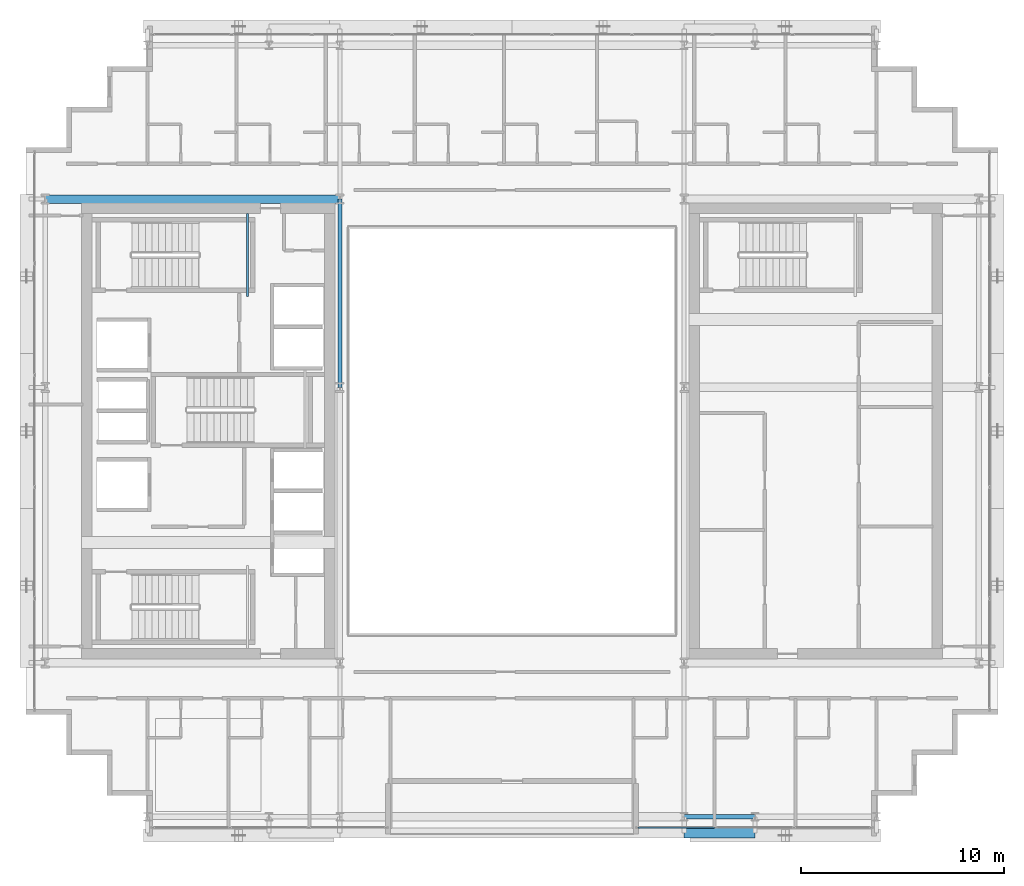
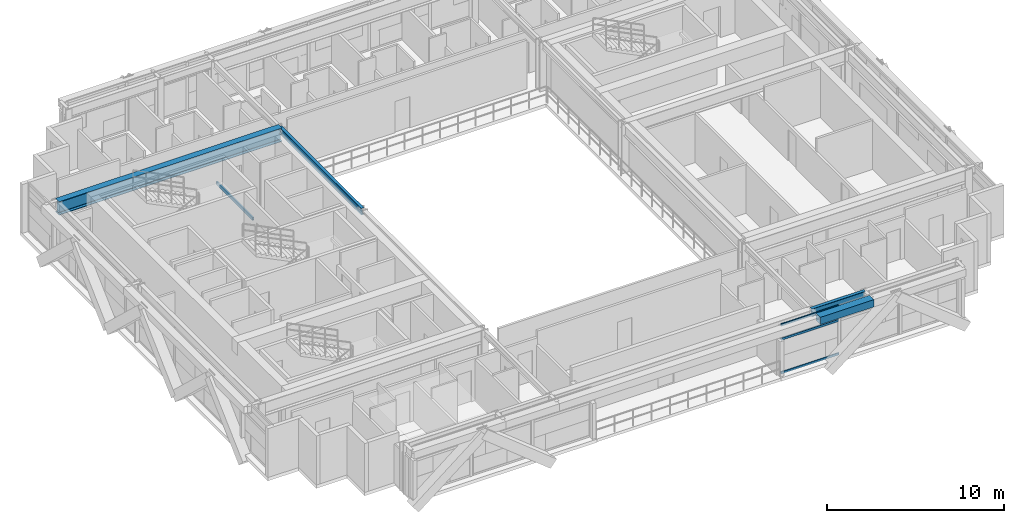
# One storey, part 9 of 32: 5 beams, 3 members, 1 element without a shape of its own.
"""IFC4 building model written with IfcOpenShell, lengths in metres."""

from ifc_helpers import new_model, si_unit, direction, frame, origin, origin_2d, place, context, subcontext, project, spatial, hollow_rectangle, i_section, extrude, source, transform, mapped, material, layer, layer_set, material_profile, profile_set, type_object, element, aggregate, save


model = new_model("IFC4")

# Units and contexts
model_context = context("Model", 3, precision=1e-05, world=origin(), true_north=direction((0.0, 1.0)))
body_context = subcontext(model_context, "Body", "Model", "MODEL_VIEW")
ifc_project = project(units=[si_unit("LENGTHUNIT", "METRE"), si_unit("AREAUNIT", "SQUARE_METRE"), si_unit("VOLUMEUNIT", "CUBIC_METRE"), si_unit("PLANEANGLEUNIT", "RADIAN"), si_unit("MASSUNIT", "GRAM", prefix="KILO")], contexts=[model_context])

# Site, building, storey
site_placement = place(None, origin())
site = spatial("IfcSite", under=ifc_project, at=site_placement, CompositionType="ELEMENT")
building_placement = place(site_placement, origin())
building = spatial("IfcBuilding", under=site, at=building_placement, Name="Ocotamira Hotel", CompositionType="ELEMENT")
storey_placement = place(building_placement, frame((0.0, 0.0, 166.800048828125)))
storey = spatial("IfcBuildingStorey", under=building, at=storey_placement, Name="L41", CompositionType="ELEMENT", Elevation=166.800048828125)

# Beams
ifc_material_1 = material(Name="Steel ASTM A500 Grade C", Category="steel")
ifc_material_profile_1 = material_profile(ifc_material_1, hollow_rectangle(XDim=0.10009765625, YDim=0.199951171875, WallThickness=0.008056640625, at=origin_2d()), Name="HSS200X100X8")
ifc_profile_set_1 = profile_set([ifc_material_profile_1], Name="Steel ASTM A500 Grade C")
beam_type_1 = type_object("IfcBeamType", Name="BM-STLDG-HSS200", PredefinedType="BEAM", material=ifc_profile_set_1)
shared_shape_1 = source(origin(), body_context, "Body", "SweptSolid", [
    extrude(hollow_rectangle(XDim=0.10009765625, YDim=0.199951171875, WallThickness=0.008056640625, at=origin_2d()), origin(), (0.0, 0.0, 1.0), 4.1201171875),
])
beam_1_placement = place(storey_placement, frame((18.949951171875, 32.6298828125, 1.5), z_axis=(0.0, 1.0, 0.0), x_axis=(-1.0, 0.0, 0.0)))
element("IfcBeam", 1, at=beam_1_placement, inside=storey, type_object=beam_type_1, Name="L41 Stair ST-2 Landing Bearer 1", PredefinedType="BEAM", context=body_context, shape_type="MappedRepresentation", body=[
    mapped(shared_shape_1, transform((0.0, 0.0, 0.0), scale=1.0)),
])
ifc_material_2 = material(Name="Steel ASTM A992 Grade 50", Category="steel")
ifc_material_profile_2 = material_profile(ifc_material_2, i_section(OverallWidth=0.41796875, OverallDepth=0.927001953125, WebThickness=0.019287109375, FlangeThickness=0.031982421875, FilletRadius=0.02392578125, at=origin_2d()), Name="W36X231")
ifc_profile_set_2 = profile_set([ifc_material_profile_2], Name="Steel ASTM A992 Grade 50")
beam_type_2 = type_object("IfcBeamType", Name="BM-GIRD-W36X231", PredefinedType="BEAM", material=ifc_profile_set_2)
shared_shape_2 = source(origin(), body_context, "Body", "SweptSolid", [
    extrude(i_section(OverallWidth=0.41796875, OverallDepth=0.927001953125, WebThickness=0.019287109375, FlangeThickness=0.031982421875, FilletRadius=0.02392578125, at=origin_2d()), origin(), (0.0, 0.0, 1.0), 14.550048828125),
])
beam_2_placement = place(storey_placement, frame((8.949951171875, 37.449951171875, 2.906494140625), z_axis=(1.0, 0.0, 0.0), x_axis=(0.0, 1.0, 0.0)))
element("IfcBeam", 2, at=beam_2_placement, inside=storey, type_object=beam_type_2, Name="L41 Girder Y37.45 X8.95-23.5", PredefinedType="BEAM", context=body_context, shape_type="MappedRepresentation", body=[
    mapped(shared_shape_2, transform((0.0, 0.0, 0.0), scale=1.0)),
])
ifc_material_profile_3 = material_profile(ifc_material_2, i_section(OverallWidth=0.2099609375, OverallDepth=0.537109375, WebThickness=0.010986328125, FlangeThickness=0.017333984375, FilletRadius=0.012939453125, at=origin_2d()), Name="W21X68")
ifc_profile_set_3 = profile_set([ifc_material_profile_3], Name="Steel ASTM A992 Grade 50")
beam_type_3 = type_object("IfcBeamType", Name="BM-SEC-W21X68", PredefinedType="JOIST", material=ifc_profile_set_3)
shared_shape_3 = source(origin(), body_context, "Body", "SweptSolid", [
    extrude(i_section(OverallWidth=0.2099609375, OverallDepth=0.537109375, WebThickness=0.010986328125, FlangeThickness=0.017333984375, FilletRadius=0.012939453125, at=origin_2d()), origin(), (0.0, 0.0, 1.0), 3.5),
])
beam_3_placement = place(storey_placement, frame((40.5, 6.949951171875, 3.1015625), z_axis=(1.0, 0.0, 0.0), x_axis=(0.0, 1.0, 0.0)))
element("IfcBeam", 3, at=beam_3_placement, inside=storey, type_object=beam_type_3, Name="L41 Girder Y6.95 X40.5-44", PredefinedType="JOIST", context=body_context, shape_type="MappedRepresentation", body=[
    mapped(shared_shape_3, transform((0.0, 0.0, 0.0), scale=1.0)),
])
ifc_material_profile_4 = material_profile(ifc_material_2, i_section(OverallWidth=0.18994140625, OverallDepth=0.45703125, WebThickness=0.009033203125, FlangeThickness=0.014404296875, FilletRadius=0.010009765625, at=origin_2d()), Name="W18X50")
ifc_profile_set_4 = profile_set([ifc_material_profile_4], Name="Steel ASTM A992 Grade 50")
beam_type_4 = type_object("IfcBeamType", Name="BM-SEC-W18X50", PredefinedType="JOIST", material=ifc_profile_set_4)
shared_shape_4 = source(origin(), body_context, "Body", "SweptSolid", [
    extrude(i_section(OverallWidth=0.18994140625, OverallDepth=0.45703125, WebThickness=0.009033203125, FlangeThickness=0.014404296875, FilletRadius=0.010009765625, at=origin_2d()), origin(), (0.0, 0.0, 1.0), 9.300048828125),
])
beam_4_placement = place(storey_placement, frame((23.5, 28.14990234375, 3.141357421875), z_axis=(0.0, 1.0, 0.0), x_axis=(-1.0, 0.0, 0.0)))
element("IfcBeam", 4, at=beam_4_placement, inside=storey, type_object=beam_type_4, Name="L41 Beam X23.5 Y28.15-37.45", PredefinedType="JOIST", context=body_context, shape_type="MappedRepresentation", body=[
    mapped(shared_shape_4, transform((0.0, 0.0, 0.0), scale=1.0)),
])
ifc_material_profile_5 = material_profile(ifc_material_1, hollow_rectangle(XDim=0.5, YDim=0.5, WallThickness=0.02001953125, at=origin_2d()), Name="HSS500X500X20")
ifc_profile_set_5 = profile_set([ifc_material_profile_5], Name="Steel ASTM A500 Grade C")
beam_type_5 = type_object("IfcBeamType", Name="BM-SPAN-HSS500", PredefinedType="USERDEFINED", material=ifc_profile_set_5)
shared_shape_5 = source(origin(), body_context, "Body", "SweptSolid", [
    extrude(hollow_rectangle(XDim=0.5, YDim=0.5, WallThickness=0.02001953125, at=origin_2d()), origin(), (0.0, 0.0, 1.0), 3.5),
])
beam_5_placement = place(storey_placement, frame((40.5, 6.14990234375, 3.119873046875), z_axis=(1.0, 0.0, 0.0), x_axis=(0.0, 1.0, 0.0)))
element("IfcBeam", 5, at=beam_5_placement, inside=storey, type_object=beam_type_5, Name="L41 Edge Spandrel S X40.5-44", ObjectType="SPANDREL", PredefinedType="USERDEFINED", context=body_context, shape_type="MappedRepresentation", body=[
    mapped(shared_shape_5, transform((0.0, 0.0, 0.0), scale=1.0)),
])

# Curtain wall, members
ifc_material_3 = material(Name="Anodised pale-metal aluminium and solar glass", Category="aluminium")
ifc_layer = layer(ifc_material_3, 0.199951171875)
ifc_layer_set = layer_set([ifc_layer], Name="Anodised pale-metal aluminium and solar glass")
curtain_wall_type = type_object("IfcCurtainWallType", Name="CW-SYS4-Z3", PredefinedType="NOTDEFINED", material=ifc_layer_set)
curtain_wall_placement = place(storey_placement, origin())
curtain_wall = element("IfcCurtainWall", 6, at=curtain_wall_placement, inside=storey, type_object=curtain_wall_type, Name="L41 Curtain Wall CW-4 CW-L41-S2", PredefinedType="NOTDEFINED")
ifc_material_4 = material(Name="Anodised pale-metal aluminium 6063-T6", Category="aluminium")
ifc_material_profile_6 = material_profile(ifc_material_4, hollow_rectangle(XDim=0.074951171875, YDim=0.14990234375, WallThickness=0.006103515625, at=origin_2d()), Name="HSS150X75X6")
ifc_profile_set_6 = profile_set([ifc_material_profile_6], Name="Anodised pale-metal aluminium 6063-T6")
member_type = type_object("IfcMemberType", Name="CWT-150X75", PredefinedType="USERDEFINED", material=ifc_profile_set_6)
shared_shape_6 = source(origin(), body_context, "Body", "SweptSolid", [
    extrude(hollow_rectangle(XDim=0.074951171875, YDim=0.14990234375, WallThickness=0.006103515625, at=origin_2d()), origin(), (0.0, 0.0, 1.0), 3.763427734375),
])
member_1_placement = place(storey_placement, frame((38.22998046875, 6.419921875, 0.037353515625), z_axis=(1.0, 0.0, 0.0), x_axis=(0.0, 1.0, 0.0)))
member_1 = element("IfcMember", 7, at=member_1_placement, type_object=member_type, Name="CW-4 transom 1.1", ObjectType="TRANSOM", PredefinedType="USERDEFINED", context=body_context, shape_type="MappedRepresentation", body=[
    mapped(shared_shape_6, transform((0.0, 0.0, 0.0), scale=1.0)),
])
member_2_placement = place(storey_placement, frame((38.22998046875, 6.419921875, 2.349853515625), z_axis=(1.0, 0.0, 0.0), x_axis=(0.0, 1.0, 0.0)))
member_2 = element("IfcMember", 8, at=member_2_placement, type_object=member_type, Name="CW-4 transom 1.2", ObjectType="TRANSOM", PredefinedType="USERDEFINED", context=body_context, shape_type="MappedRepresentation", body=[
    mapped(shared_shape_6, transform((0.0, 0.0, 0.0), scale=1.0)),
])
member_3_placement = place(storey_placement, frame((38.22998046875, 6.419921875, 3.33251953125), z_axis=(1.0, 0.0, 0.0), x_axis=(0.0, 1.0, 0.0)))
member_3 = element("IfcMember", 9, at=member_3_placement, type_object=member_type, Name="CW-4 transom 1.3", ObjectType="TRANSOM", PredefinedType="USERDEFINED", context=body_context, shape_type="MappedRepresentation", body=[
    mapped(shared_shape_6, transform((0.0, 0.0, 0.0), scale=1.0)),
])
aggregate(curtain_wall, [member_1, member_2, member_3])

save(model, "model.ifc")
